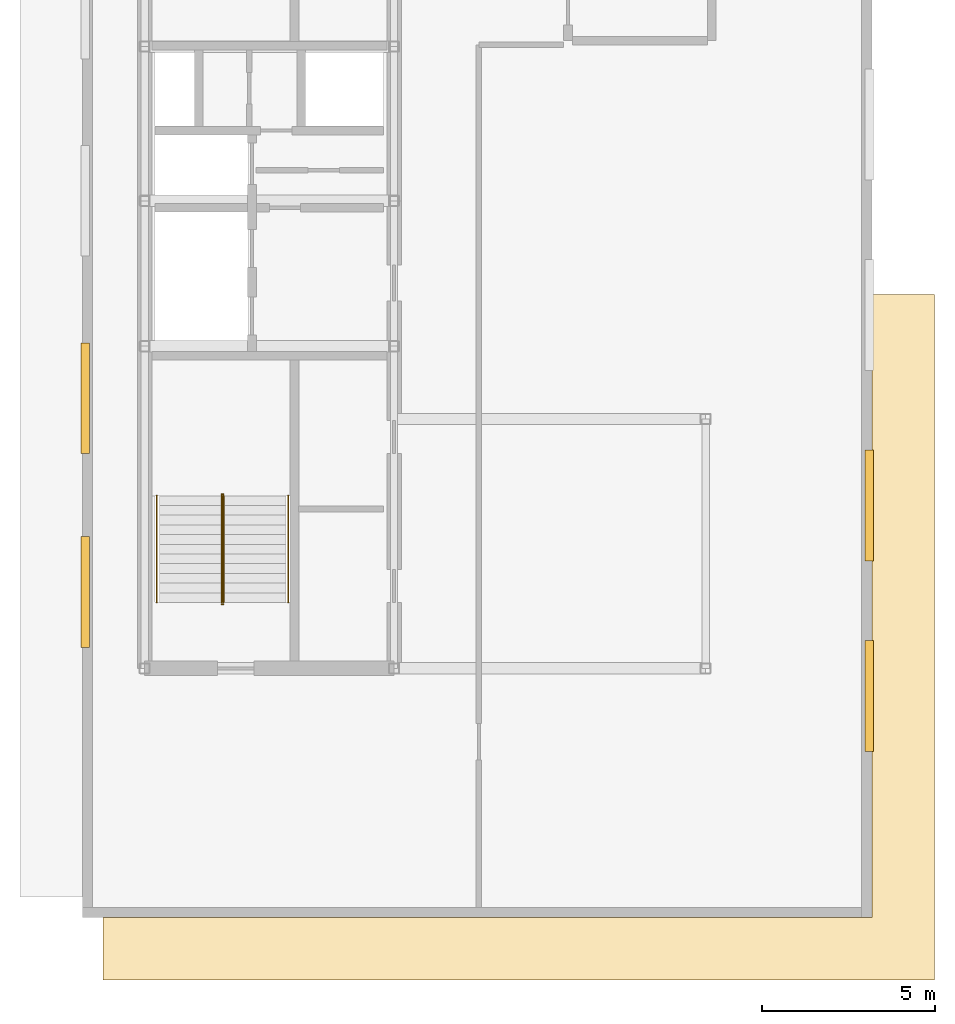
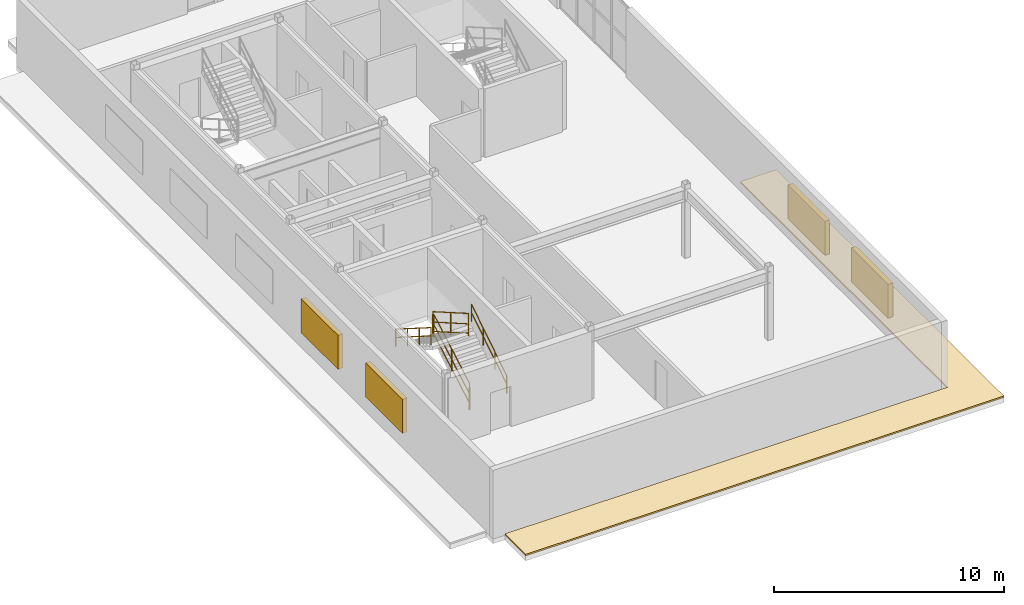
# One storey, part 7 of 9: 6 railings, 4 shading devices, 1 covering.
"""IFC4 building model written with IfcOpenShell, lengths in metres."""

import ifcopenshell
import ifcopenshell.guid

model = None  # the IFC model being written
_history = None  # IfcOwnerHistory: only IFC2X3 demands one
_inside = {}  # id of a spatial element -> (the spatial element, [elements in it])
_under = {}  # id of a project, library or spatial element -> (it, [spatial elements below it])
_declared = {}  # id of a project -> (the project, [libraries it declares])
_typed = {}  # id of a type object -> (the type object, [elements of that type])
_made_of = {}  # id of a material, layer set ... -> (it, [elements and type objects made of it])


def new_model(schema):
    """Start an empty IFC model of exactly this schema.

    Asked for "IFC4X3", IfcOpenShell would pick the latest addendum, in which some entities
    have other attributes; the version numbers below select the first issue.
    IFC2X3 requires an IfcOwnerHistory on every rooted entity: one is made here for all.
    """
    global model, _history
    if schema == "IFC4X3":
        model = ifcopenshell.file(schema_version=(4, 3, 0, 0))
    else:
        model = ifcopenshell.file(schema=schema)
    _inside.clear()
    _under.clear()
    _declared.clear()
    _typed.clear()
    _made_of.clear()
    _history = None
    if model.schema == "IFC2X3":
        org = make("IfcOrganization", Name="unknown")
        user = make(
            "IfcPersonAndOrganization",
            ThePerson=make("IfcPerson", FamilyName="unknown"),
            TheOrganization=org,
        )
        app = make(
            "IfcApplication",
            ApplicationDeveloper=org,
            Version="unknown",
            ApplicationFullName="unknown",
            ApplicationIdentifier="unknown",
        )
        _history = make(
            "IfcOwnerHistory",
            OwningUser=user,
            OwningApplication=app,
            ChangeAction="ADDED",
            CreationDate=0,
        )
    return model


def make(cls, **values):
    """One entity of the class cls with the attributes given. An attribute that is None is left unset."""
    return model.create_entity(
        cls, **{name: value for name, value in values.items() if value is not None}
    )


def entity(cls, *values):
    """Any entity or typed value of the class cls, its attributes in the order of the schema. None: left unset."""
    e = model.create_entity(cls)
    for i, value in enumerate(values):
        if value is not None:
            e[i] = value
    return e


def rooted(cls, **values):
    """An entity with a GlobalId (a new one), such as an element, a storey or a relation."""
    return make(cls, GlobalId=ifcopenshell.guid.new(), OwnerHistory=_history, **values)


def si_unit(unit_type, name, prefix=None):
    """IfcSIUnit, for example si_unit("LENGTHUNIT", "METRE", prefix="MILLI")."""
    return make("IfcSIUnit", UnitType=unit_type, Prefix=prefix, Name=name)


def converted_unit(unit_type, name, factor, base, dimensions=None, offset=None):
    """IfcConversionBasedUnit, such as the inch: factor (a typed value) times the base unit."""
    return make(
        "IfcConversionBasedUnit"
        if offset is None
        else "IfcConversionBasedUnitWithOffset",
        ConversionOffset=offset,
        Dimensions=None
        if dimensions is None
        else entity("IfcDimensionalExponents", *dimensions),
        UnitType=unit_type,
        Name=name,
        ConversionFactor=make(
            "IfcMeasureWithUnit", ValueComponent=factor, UnitComponent=base
        ),
    )


def assignment(units):
    """IfcUnitAssignment: the units of a project."""
    return None if units is None else make("IfcUnitAssignment", Units=units)


def point(xyz):
    """IfcCartesianPoint."""
    return None if xyz is None else make("IfcCartesianPoint", Coordinates=xyz)


def direction(xyz):
    """IfcDirection."""
    return None if xyz is None else make("IfcDirection", DirectionRatios=xyz)


def frame(location, z_axis=None, x_axis=None):
    """IfcAxis2Placement3D, a coordinate frame: its origin and axes. An axis left out is left unset."""
    return make(
        "IfcAxis2Placement3D",
        Location=point(location),
        Axis=direction(z_axis),
        RefDirection=direction(x_axis),
    )


def frame_2d(location, x_axis=None):
    """IfcAxis2Placement2D, a coordinate frame in the plane: its origin and x axis."""
    return make(
        "IfcAxis2Placement2D", Location=point(location), RefDirection=direction(x_axis)
    )


def origin_with_axes():
    """The frame at (0, 0, 0) with the z axis (0, 0, 1) and the x axis (1, 0, 0) written out."""
    return frame((0.0, 0.0, 0.0), z_axis=(0.0, 0.0, 1.0), x_axis=(1.0, 0.0, 0.0))


def origin_2d_with_axis():
    """The frame at (0, 0) in the plane with the x axis (1, 0) written out."""
    return frame_2d((0.0, 0.0), x_axis=(1.0, 0.0))


def place(relative_to, where):
    """IfcLocalPlacement: puts the frame where relative to a parent placement (None: the world)."""
    return make(
        "IfcLocalPlacement", PlacementRelTo=relative_to, RelativePlacement=where
    )


def context(
    kind, dimensions, precision=None, world=None, true_north=None, identifier=None
):
    """IfcGeometricRepresentationContext, for example the 3D "Model" context."""
    return make(
        "IfcGeometricRepresentationContext",
        ContextIdentifier=identifier,
        ContextType=kind,
        CoordinateSpaceDimension=dimensions,
        Precision=precision,
        WorldCoordinateSystem=world,
        TrueNorth=true_north,
    )


def subcontext(parent, identifier, kind, view, scale=None):
    """IfcGeometricRepresentationSubContext, for example "Body" below "Model"."""
    return make(
        "IfcGeometricRepresentationSubContext",
        ContextIdentifier=identifier,
        ContextType=kind,
        ParentContext=parent,
        TargetScale=scale,
        TargetView=view,
    )


def project(units=None, contexts=None):
    """IfcProject with its units and contexts."""
    return rooted(
        "IfcProject",
        Name="project",
        RepresentationContexts=contexts,
        UnitsInContext=assignment(units),
    )


def spatial(cls, under=None, at=None, **own):
    """A site, building, storey or space (cls), placed at a placement, below another one or the project."""
    s = rooted(cls, ObjectPlacement=at, **own)
    if under is not None:
        _under.setdefault(under.id(), (under, []))[1].append(s)
    return s


def polyline(points):
    """IfcPolyline through the points."""
    return make("IfcPolyline", Points=[point(p) for p in points])


def profile(cls, at=None, kind="AREA", **sizes):
    """A parametric profile (cls). Its sizes go by their IFC names, for example OverallWidth=200.0."""
    return make(cls, ProfileType=kind, Position=at, **sizes)


def rectangle(**sizes):
    """IfcRectangleProfileDef."""
    return profile("IfcRectangleProfileDef", **sizes)


def circle(**sizes):
    """IfcCircleProfileDef."""
    return profile("IfcCircleProfileDef", **sizes)


def outline(outer, holes=None, kind="AREA"):
    """IfcArbitraryClosedProfileDef: a profile drawn as a closed curve; with holes, ...WithVoids."""
    if holes is None:
        return make("IfcArbitraryClosedProfileDef", ProfileType=kind, OuterCurve=outer)
    return make(
        "IfcArbitraryProfileDefWithVoids",
        ProfileType=kind,
        OuterCurve=outer,
        InnerCurves=holes,
    )


def extrude(swept, where, along, depth):
    """IfcExtrudedAreaSolid: the profile swept, set in the frame where, extruded along a direction by depth."""
    return make(
        "IfcExtrudedAreaSolid",
        SweptArea=swept,
        Position=where,
        ExtrudedDirection=direction(along),
        Depth=depth,
    )


def shape(context_of_items, identifier, shape_type, items):
    """IfcShapeRepresentation: the items that make up one representation, for example the "Body"."""
    return make(
        "IfcShapeRepresentation",
        ContextOfItems=context_of_items,
        RepresentationIdentifier=identifier,
        RepresentationType=shape_type,
        Items=items,
    )


def material(Name=None, Category=None):
    """IfcMaterial."""
    return make("IfcMaterial", Name=Name, Category=Category)


def layer(
    of_material, thickness, ventilated=None, Name=None, Category=None, Priority=None
):
    """IfcMaterialLayer: one layer of a wall or slab, of a material (None: an air gap)."""
    return make(
        "IfcMaterialLayer",
        Material=of_material,
        LayerThickness=thickness,
        IsVentilated=ventilated,
        Name=Name,
        Category=Category,
        Priority=Priority,
    )


def layer_set(layers, Name=None):
    """IfcMaterialLayerSet."""
    return make("IfcMaterialLayerSet", MaterialLayers=layers, LayerSetName=Name)


def made_of(thing, what):
    """Note that an element or type object is made of a material, layer set ...; save() writes the relation."""
    if what is not None:
        _made_of.setdefault(what.id(), (what, []))[1].append(thing)
    return thing


def type_object(cls, material=None, **own):
    """A type object (cls), such as IfcWallType, which elements share."""
    return made_of(rooted(cls, **own), material)


def element(
    cls,
    number,
    at=None,
    inside=None,
    cuts=None,
    type_object=None,
    material=None,
    context=None,
    identifier="Body",
    shape_type=None,
    held_by="IfcProductDefinitionShape",
    body=None,
    shapes=None,
    **own,
):
    """One element of the class cls, such as IfcWall. Its Tag is "e" and its number.

    at: its placement. inside: the storey or other place that contains it. cuts: it is an
    opening in that element (IfcRelVoidsElement). A single representation is given by context,
    identifier, shape_type and body (its items); several are given by shapes. held_by: the class
    of the entity that holds the representations. save() writes the other relations.
    """
    e = rooted(cls, Tag="e%d" % number, ObjectPlacement=at, **own)
    if body is not None:
        shapes = [shape(context, identifier, shape_type, body)]
    if shapes is not None:
        e.Representation = make(held_by, Representations=shapes)
    if inside is not None:
        _inside.setdefault(inside.id(), (inside, []))[1].append(e)
    if cuts is not None:
        rooted(
            "IfcRelVoidsElement", RelatingBuildingElement=cuts, RelatedOpeningElement=e
        )
    if type_object is not None:
        _typed.setdefault(type_object.id(), (type_object, []))[1].append(e)
    return made_of(e, material)


def aggregate(whole, parts):
    """IfcRelAggregates: a whole, such as a stair, and the parts it consists of."""
    return rooted("IfcRelAggregates", RelatingObject=whole, RelatedObjects=parts)


def save(model, path):
    """Write the relations noted so far, then the file.

    IfcRelAggregates (storeys below a building ...), IfcRelContainedInSpatialStructure (elements
    in a storey), IfcRelDefinesByType, IfcRelAssociatesMaterial and IfcRelDeclares: one each for
    every whole, place, type object, material and project.
    """
    for whole, parts in _under.values():
        aggregate(whole, parts)
    for where, things in _inside.values():
        rooted(
            "IfcRelContainedInSpatialStructure",
            RelatedElements=things,
            RelatingStructure=where,
        )
    for kind, things in _typed.values():
        rooted("IfcRelDefinesByType", RelatedObjects=things, RelatingType=kind)
    for what, things in _made_of.values():
        rooted("IfcRelAssociatesMaterial", RelatedObjects=things, RelatingMaterial=what)
    for by, libraries in _declared.values():
        rooted("IfcRelDeclares", RelatingContext=by, RelatedDefinitions=libraries)
    model.write(path)


model = new_model("IFC4")

# Units and contexts
model_context = context("Model", 3, precision=1e-05, world=origin_with_axes(), true_north=direction((0.0, 1.0)))
body_context = subcontext(model_context, "Body", "Model", "MODEL_VIEW")
ifc_project = project(units=[si_unit("LENGTHUNIT", "METRE"), si_unit("AREAUNIT", "SQUARE_METRE"), si_unit("VOLUMEUNIT", "CUBIC_METRE"), converted_unit("PLANEANGLEUNIT", "DEGREE", entity("IfcPlaneAngleMeasure", 0.017453292519943295), si_unit("PLANEANGLEUNIT", "RADIAN"), dimensions=[0, 0, 0, 0, 0, 0, 0]), si_unit("MASSUNIT", "GRAM", prefix="KILO"), si_unit("THERMODYNAMICTEMPERATUREUNIT", "KELVIN")], contexts=[model_context])

# Site, building, storey
site_placement = place(None, origin_with_axes())
site = spatial("IfcSite", under=ifc_project, at=site_placement, CompositionType="ELEMENT")
building_placement = place(site_placement, origin_with_axes())
building = spatial("IfcBuilding", under=site, at=building_placement, Name="Varnlund Millrace Tower", CompositionType="ELEMENT")
storey_placement = place(building_placement, frame((0.0, 0.0, 308.7), z_axis=(0.0, 0.0, 1.0), x_axis=(1.0, 0.0, 0.0)))
storey = spatial("IfcBuildingStorey", under=building, at=storey_placement, Name="L76", CompositionType="ELEMENT", Elevation=308.7)

# Covering
ifc_material_1 = material(Name="Insulated EPDM waterproof roof membrane")
ifc_layer = layer(ifc_material_1, 0.12, Name="Insulated EPDM waterproof roof membrane")
ifc_layer_set = layer_set([ifc_layer], Name="Insulated EPDM waterproof roof membrane")
covering_type = type_object("IfcCoveringType", Name="Type-Roof-Membrane-120", PredefinedType="ROOFING", material=ifc_layer_set)
covering_placement = place(storey_placement, origin_with_axes())
element("IfcCovering", 1, at=covering_placement, inside=storey, type_object=covering_type, Name="Type-Roof-Membrane-120", PredefinedType="ROOFING", context=body_context, shape_type="SweptSolid", body=[
    extrude(outline(polyline([(34.2, 21.6), (32.4, 21.6), (32.4, 3.6), (10.2, 3.6), (10.2, 1.8), (34.2, 1.8), (34.2, 21.6)])), origin_with_axes(), (0.0, 0.0, 1.0), 0.08),
])

# Shading devices
ifc_material_2 = material(Name="Architectural bronze cold-climate intake louvre", Category="aluminium")
shading_device_type = type_object("IfcShadingDeviceType", Name="Type-Shade-CrownLouvre-JAL", PredefinedType="JALOUSIE", material=ifc_material_2)
for number, where, z_axis, x_axis, name in (
    (2, (9.68, 13.0, 0.9), (0.0, 0.0, 1.0), (0.0, 1.0, 0.0), "Type-Shade-CrownLouvre-JAL"),
    (3, (9.68, 18.6, 0.9), (0.0, 0.0, 1.0), (0.0, 1.0, 0.0), "Type-Shade-CrownLouvre-JAL"),
    (4, (32.32, 10.0, 0.9), (0.0, 0.0, 1.0), (0.0, 1.0, 0.0), "Type-Shade-CrownLouvre-JAL"),
    (5, (32.32, 15.5, 0.9), (0.0, 0.0, 1.0), (0.0, 1.0, 0.0), "Type-Shade-CrownLouvre-JAL"),
):
    element("IfcShadingDevice", number, at=place(storey_placement, frame(where, z_axis=z_axis, x_axis=x_axis)), inside=storey, type_object=shading_device_type, Name=name, PredefinedType="JALOUSIE", context=body_context, shape_type="SweptSolid", body=[
        extrude(rectangle(XDim=3.2, YDim=0.24, at=origin_2d_with_axis()), origin_with_axes(), (0.0, 0.0, 1.0), 1.8),
    ])

# Railings
ifc_material_3 = material(Name="Painted steel stair well balustrade guard", Category="steel")
railing_type_1 = type_object("IfcRailingType", Name="Type-StairGuard-1150", PredefinedType="GUARDRAIL", material=ifc_material_3)
railing_1_placement = place(storey_placement, frame((0.0, 0.0, -308.7), z_axis=(0.0, 0.0, 1.0), x_axis=(1.0, 0.0, 0.0)))
element("IfcRailing", 6, at=railing_1_placement, inside=storey, type_object=railing_type_1, Name="Type-StairGuard-1150", PredefinedType="GUARDRAIL", context=body_context, shape_type="SweptSolid", body=[
    extrude(circle(Radius=0.024, at=origin_2d_with_axis()), frame((13.675, 12.7, 310.027273), z_axis=(0.0, 0.866696, 0.498836), x_axis=(-1.0, 0.0, 0.0)), (0.0, 0.0, 1.0), 3.553725),
    extrude(circle(Radius=0.024, at=origin_2d_with_axis()), frame((13.675, 12.7, 308.977273), z_axis=(0.0, 0.866696, 0.498836), x_axis=(-1.0, 0.0, 0.0)), (0.0, 0.0, 1.0), 3.553725),
    extrude(circle(Radius=0.024, at=origin_2d_with_axis()), frame((13.675, 12.7, 309.475273), z_axis=(0.0, 0.866696, 0.498836), x_axis=(-1.0, 0.0, 0.0)), (0.0, 0.0, 1.0), 3.553725),
    extrude(rectangle(XDim=0.04, YDim=0.04, at=origin_2d_with_axis()), frame((13.675, 12.7, 308.837273), z_axis=(0.0, 0.0, 1.0), x_axis=(1.0, 0.0, 0.0)), (0.0, 0.0, 1.0), 1.19),
    extrude(rectangle(XDim=0.04, YDim=0.04, at=origin_2d_with_axis()), frame((13.675, 14.24, 309.723636), z_axis=(0.0, 0.0, 1.0), x_axis=(1.0, 0.0, 0.0)), (0.0, 0.0, 1.0), 1.19),
    extrude(rectangle(XDim=0.04, YDim=0.04, at=origin_2d_with_axis()), frame((13.675, 15.78, 310.61), z_axis=(0.0, 0.0, 1.0), x_axis=(1.0, 0.0, 0.0)), (0.0, 0.0, 1.0), 1.19),
])
railing_2_placement = place(storey_placement, frame((0.0, 0.0, -308.7), z_axis=(0.0, 0.0, 1.0), x_axis=(1.0, 0.0, 0.0)))
element("IfcRailing", 7, at=railing_2_placement, inside=storey, type_object=railing_type_1, Name="Type-StairGuard-1150", PredefinedType="GUARDRAIL", context=body_context, shape_type="SweptSolid", body=[
    extrude(circle(Radius=0.024, at=origin_2d_with_axis()), frame((13.625, 15.83, 311.8), z_axis=(1.0, 0.0, 0.0), x_axis=(0.0, 1.0, 0.0)), (0.0, 0.0, 1.0), 0.05),
    extrude(circle(Radius=0.024, at=origin_2d_with_axis()), frame((13.625, 15.83, 310.75), z_axis=(1.0, 0.0, 0.0), x_axis=(0.0, 1.0, 0.0)), (0.0, 0.0, 1.0), 0.05),
    extrude(circle(Radius=0.024, at=origin_2d_with_axis()), frame((13.625, 15.83, 311.248), z_axis=(1.0, 0.0, 0.0), x_axis=(0.0, 1.0, 0.0)), (0.0, 0.0, 1.0), 0.05),
    extrude(rectangle(XDim=0.04, YDim=0.04, at=origin_2d_with_axis()), frame((13.625, 15.83, 310.61), z_axis=(0.0, 0.0, 1.0), x_axis=(1.0, 0.0, 0.0)), (0.0, 0.0, 1.0), 1.19),
    extrude(rectangle(XDim=0.04, YDim=0.04, at=origin_2d_with_axis()), frame((13.675, 15.83, 310.61), z_axis=(0.0, 0.0, 1.0), x_axis=(1.0, 0.0, 0.0)), (0.0, 0.0, 1.0), 1.19),
])
railing_3_placement = place(storey_placement, frame((0.0, 0.0, -308.7), z_axis=(0.0, 0.0, 1.0), x_axis=(1.0, 0.0, 0.0)))
element("IfcRailing", 8, at=railing_3_placement, inside=storey, type_object=railing_type_1, Name="Type-StairGuard-1150", PredefinedType="GUARDRAIL", context=body_context, shape_type="SweptSolid", body=[
    extrude(circle(Radius=0.024, at=origin_2d_with_axis()), frame((13.625, 15.78, 311.977273), z_axis=(0.0, -0.866696, 0.498836), x_axis=(1.0, 0.0, 0.0)), (0.0, 0.0, 1.0), 3.553725),
    extrude(circle(Radius=0.024, at=origin_2d_with_axis()), frame((13.625, 15.78, 310.927273), z_axis=(0.0, -0.866696, 0.498836), x_axis=(1.0, 0.0, 0.0)), (0.0, 0.0, 1.0), 3.553725),
    extrude(circle(Radius=0.024, at=origin_2d_with_axis()), frame((13.625, 15.78, 311.425273), z_axis=(0.0, -0.866696, 0.498836), x_axis=(1.0, 0.0, 0.0)), (0.0, 0.0, 1.0), 3.553725),
    extrude(rectangle(XDim=0.04, YDim=0.04, at=origin_2d_with_axis()), frame((13.625, 15.78, 310.787273), z_axis=(0.0, 0.0, 1.0), x_axis=(1.0, 0.0, 0.0)), (0.0, 0.0, 1.0), 1.19),
    extrude(rectangle(XDim=0.04, YDim=0.04, at=origin_2d_with_axis()), frame((13.625, 14.24, 311.673636), z_axis=(0.0, 0.0, 1.0), x_axis=(1.0, 0.0, 0.0)), (0.0, 0.0, 1.0), 1.19),
    extrude(rectangle(XDim=0.04, YDim=0.04, at=origin_2d_with_axis()), frame((13.625, 12.7, 312.56), z_axis=(0.0, 0.0, 1.0), x_axis=(1.0, 0.0, 0.0)), (0.0, 0.0, 1.0), 1.19),
])
railing_4_placement = place(storey_placement, frame((0.0, 0.0, -308.7), z_axis=(0.0, 0.0, 1.0), x_axis=(1.0, 0.0, 0.0)))
element("IfcRailing", 9, at=railing_4_placement, inside=storey, type_object=railing_type_1, Name="Type-StairGuard-1150", PredefinedType="GUARDRAIL", context=body_context, shape_type="SweptSolid", body=[
    extrude(circle(Radius=0.024, at=origin_2d_with_axis()), frame((13.625, 12.65, 309.85), z_axis=(1.0, 0.0, 0.0), x_axis=(0.0, 1.0, 0.0)), (0.0, 0.0, 1.0), 0.05),
    extrude(circle(Radius=0.024, at=origin_2d_with_axis()), frame((13.625, 12.65, 308.8), z_axis=(1.0, 0.0, 0.0), x_axis=(0.0, 1.0, 0.0)), (0.0, 0.0, 1.0), 0.05),
    extrude(circle(Radius=0.024, at=origin_2d_with_axis()), frame((13.625, 12.65, 309.298), z_axis=(1.0, 0.0, 0.0), x_axis=(0.0, 1.0, 0.0)), (0.0, 0.0, 1.0), 0.05),
    extrude(rectangle(XDim=0.04, YDim=0.04, at=origin_2d_with_axis()), frame((13.625, 12.65, 308.66), z_axis=(0.0, 0.0, 1.0), x_axis=(1.0, 0.0, 0.0)), (0.0, 0.0, 1.0), 1.19),
    extrude(rectangle(XDim=0.04, YDim=0.04, at=origin_2d_with_axis()), frame((13.675, 12.65, 308.66), z_axis=(0.0, 0.0, 1.0), x_axis=(1.0, 0.0, 0.0)), (0.0, 0.0, 1.0), 1.19),
])
ifc_material_4 = material(Name="Brushed architectural bronze stair handrail", Category="aluminium")
railing_type_2 = type_object("IfcRailingType", Name="Type-StairHandrail-900", PredefinedType="HANDRAIL", material=ifc_material_4)
railing_5_placement = place(storey_placement, frame((0.0, 0.0, -308.7), z_axis=(0.0, 0.0, 1.0), x_axis=(1.0, 0.0, 0.0)))
element("IfcRailing", 10, at=railing_5_placement, inside=storey, type_object=railing_type_2, Name="Type-StairHandrail-900", PredefinedType="HANDRAIL", context=body_context, shape_type="SweptSolid", body=[
    extrude(circle(Radius=0.024, at=origin_2d_with_axis()), frame((15.55, 12.7, 309.756995), z_axis=(0.0, 0.844902, 0.534922), x_axis=(-1.0, 0.0, 0.0)), (0.0, 0.0, 1.0), 3.645394),
    extrude(circle(Radius=0.024, at=origin_2d_with_axis()), frame((15.55, 12.7, 309.317134), z_axis=(0.0, 0.844902, 0.534922), x_axis=(-1.0, 0.0, 0.0)), (0.0, 0.0, 1.0), 3.645394),
    extrude(rectangle(XDim=0.04, YDim=0.04, at=origin_2d_with_axis()), frame((15.55, 12.7, 308.837273), z_axis=(0.0, 0.0, 1.0), x_axis=(1.0, 0.0, 0.0)), (0.0, 0.0, 1.0), 0.919722),
    extrude(rectangle(XDim=0.04, YDim=0.04, at=origin_2d_with_axis()), frame((15.55, 13.726667, 309.487273), z_axis=(0.0, 0.0, 1.0), x_axis=(1.0, 0.0, 0.0)), (0.0, 0.0, 1.0), 0.919722),
    extrude(rectangle(XDim=0.04, YDim=0.04, at=origin_2d_with_axis()), frame((15.55, 14.753333, 310.137273), z_axis=(0.0, 0.0, 1.0), x_axis=(1.0, 0.0, 0.0)), (0.0, 0.0, 1.0), 0.919722),
    extrude(rectangle(XDim=0.04, YDim=0.04, at=origin_2d_with_axis()), frame((15.55, 15.78, 310.787273), z_axis=(0.0, 0.0, 1.0), x_axis=(1.0, 0.0, 0.0)), (0.0, 0.0, 1.0), 0.919722),
])
railing_6_placement = place(storey_placement, frame((0.0, 0.0, -308.7), z_axis=(0.0, 0.0, 1.0), x_axis=(1.0, 0.0, 0.0)))
element("IfcRailing", 11, at=railing_6_placement, inside=storey, type_object=railing_type_2, Name="Type-StairHandrail-900", PredefinedType="HANDRAIL", context=body_context, shape_type="SweptSolid", body=[
    extrude(circle(Radius=0.024, at=origin_2d_with_axis()), frame((11.75, 15.78, 311.706995), z_axis=(0.0, -0.844902, 0.534922), x_axis=(1.0, 0.0, 0.0)), (0.0, 0.0, 1.0), 3.645394),
    extrude(circle(Radius=0.024, at=origin_2d_with_axis()), frame((11.75, 15.78, 311.267134), z_axis=(0.0, -0.844902, 0.534922), x_axis=(1.0, 0.0, 0.0)), (0.0, 0.0, 1.0), 3.645394),
    extrude(rectangle(XDim=0.04, YDim=0.04, at=origin_2d_with_axis()), frame((11.75, 15.78, 310.787273), z_axis=(0.0, 0.0, 1.0), x_axis=(1.0, 0.0, 0.0)), (0.0, 0.0, 1.0), 0.919722),
    extrude(rectangle(XDim=0.04, YDim=0.04, at=origin_2d_with_axis()), frame((11.75, 14.753333, 311.437273), z_axis=(0.0, 0.0, 1.0), x_axis=(1.0, 0.0, 0.0)), (0.0, 0.0, 1.0), 0.919722),
    extrude(rectangle(XDim=0.04, YDim=0.04, at=origin_2d_with_axis()), frame((11.75, 13.726667, 312.087273), z_axis=(0.0, 0.0, 1.0), x_axis=(1.0, 0.0, 0.0)), (0.0, 0.0, 1.0), 0.919722),
    extrude(rectangle(XDim=0.04, YDim=0.04, at=origin_2d_with_axis()), frame((11.75, 12.7, 312.737273), z_axis=(0.0, 0.0, 1.0), x_axis=(1.0, 0.0, 0.0)), (0.0, 0.0, 1.0), 0.919722),
])

save(model, "model.ifc")
